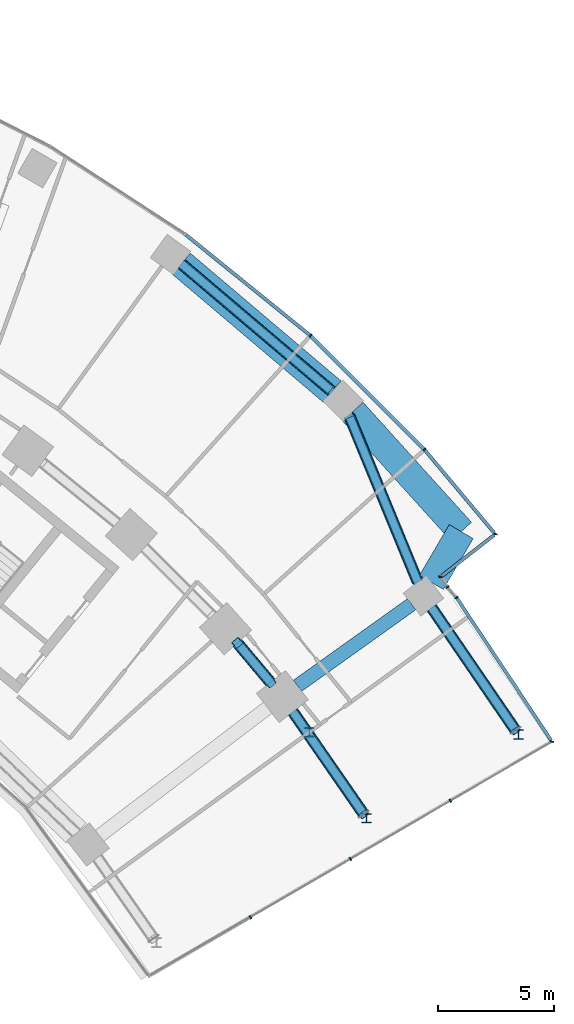
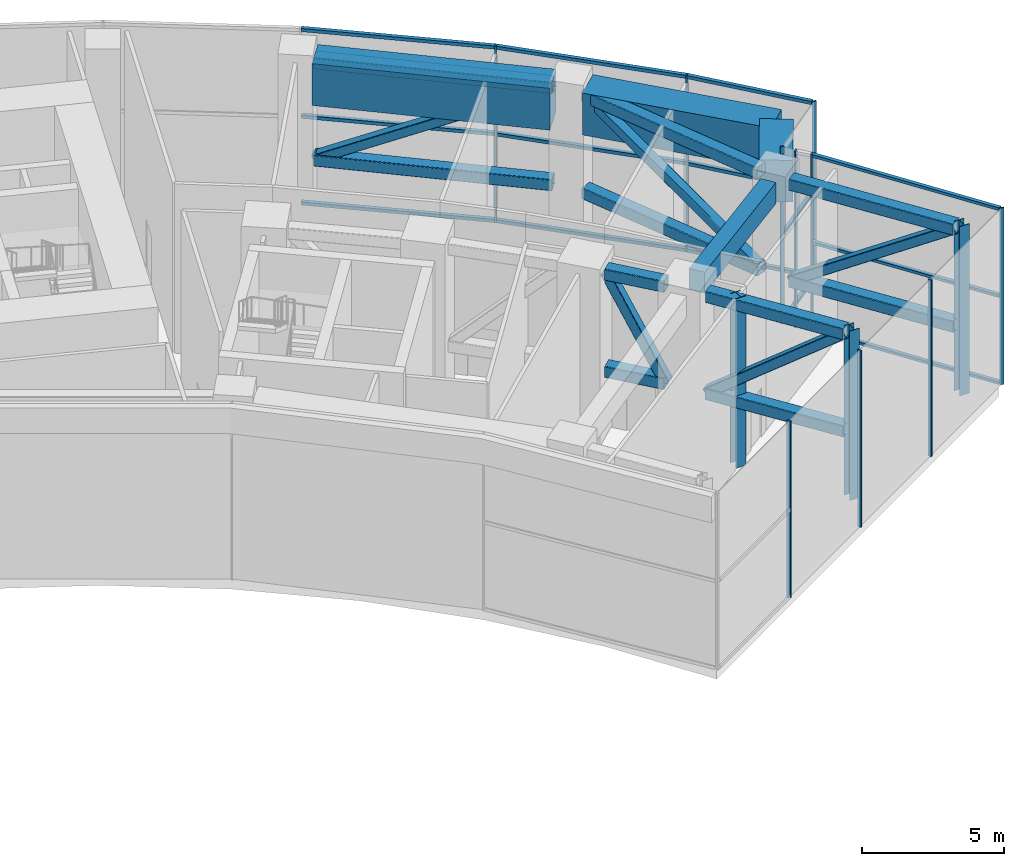
# One storey, part 12 of 33: 42 members, 4 beams, 6 elements without a shape of their own.
"""IFC4 building model written with IfcOpenShell, lengths in metres."""

from ifc_helpers import new_model, si_unit, direction, frame, origin, origin_2d, place, context, subcontext, project, spatial, rectangle, hollow_rectangle, i_section, extrude, material, layer, layer_set, material_profile, profile_set, type_object, element, aggregate, save


model = new_model("IFC4")

# Units and contexts
model_context = context("Model", 3, precision=1e-05, world=origin(), true_north=direction((0.0, 1.0)))
body_context = subcontext(model_context, "Body", "Model", "MODEL_VIEW")
ifc_project = project(units=[si_unit("LENGTHUNIT", "METRE"), si_unit("AREAUNIT", "SQUARE_METRE"), si_unit("VOLUMEUNIT", "CUBIC_METRE"), si_unit("PLANEANGLEUNIT", "RADIAN"), si_unit("MASSUNIT", "GRAM", prefix="KILO")], contexts=[model_context])

# Site, building, storey
site_placement = place(None, origin())
site = spatial("IfcSite", under=ifc_project, at=site_placement, CompositionType="ELEMENT")
building_placement = place(site_placement, origin())
building = spatial("IfcBuilding", under=site, at=building_placement, Name="Stone Belt Terrace Tower", CompositionType="ELEMENT")
storey_placement = place(building_placement, frame((0.0, 0.0, 79.39990234375)))
storey = spatial("IfcBuildingStorey", under=building, at=storey_placement, Name="L19", CompositionType="ELEMENT", Elevation=79.39990234375)

# Curtain wall, members
ifc_material_1 = material(Name="Aluminium 6063-T6 anodised frame", Category="aluminium")
ifc_layer_1 = layer(ifc_material_1, 0.14990234375)
ifc_layer_set_1 = layer_set([ifc_layer_1], Name="CW-A unitised convex-face curtain wall")
curtain_wall_type_1 = type_object("IfcCurtainWallType", Name="CW-A unitised convex-face curtain wall", PredefinedType="NOTDEFINED", material=ifc_layer_set_1)
curtain_wall_1_placement = place(storey_placement, origin())
curtain_wall_1 = element("IfcCurtainWall", 1, at=curtain_wall_1_placement, inside=storey, type_object=curtain_wall_type_1, Name="CW-A convex face L19", PredefinedType="NOTDEFINED")
ifc_material_profile_1 = material_profile(ifc_material_1, rectangle(XDim=0.14990234375, YDim=0.06005859375, at=origin_2d()), Name="Aluminium 6063-T6 60x150")
ifc_profile_set_1 = profile_set([ifc_material_profile_1], Name="Aluminium 6063-T6 anodised frame")
member_type_1 = type_object("IfcMemberType", Name="CW-A mullion 60 x 150", PredefinedType="MULLION", material=ifc_profile_set_1)
member_1_placement = place(storey_placement, frame((52.539794921875, 40.89208984375, 0.0), z_axis=(0.0, 0.0, 1.0), x_axis=(-0.994464768622, 0.105070566623, 0.0)))
member_1 = element("IfcMember", 2, at=member_1_placement, type_object=member_type_1, Name="CW-A mullion 1", PredefinedType="MULLION", context=body_context, shape_type="SweptSolid", body=[
    extrude(rectangle(XDim=0.14990234375, YDim=0.06005859375, at=origin_2d()), origin(), (0.0, 0.0, 1.0), 7.60009765625),
])
member_2_placement = place(storey_placement, frame((49.474609375, 44.5478515625, 0.0), z_axis=(0.0, 0.0, 1.0), x_axis=(-0.737400080522, -0.675456231925, 0.0)))
member_2 = element("IfcMember", 3, at=member_2_placement, type_object=member_type_1, Name="CW-A mullion 2", PredefinedType="MULLION", context=body_context, shape_type="SweptSolid", body=[
    extrude(rectangle(XDim=0.14990234375, YDim=0.06005859375, at=origin_2d()), origin(), (0.0, 0.0, 1.0), 7.60009765625),
])
member_3_placement = place(storey_placement, frame((44.54736328125, 49.474853515625, 0.0), z_axis=(0.0, 0.0, 1.0), x_axis=(-0.669130606359, -0.743144825477, 0.0)))
member_3 = element("IfcMember", 4, at=member_3_placement, type_object=member_type_1, Name="CW-A mullion 3", PredefinedType="MULLION", context=body_context, shape_type="SweptSolid", body=[
    extrude(rectangle(XDim=0.14990234375, YDim=0.06005859375, at=origin_2d()), origin(), (0.0, 0.0, 1.0), 7.60009765625),
])
ifc_material_profile_2 = material_profile(ifc_material_1, rectangle(XDim=0.14990234375, YDim=0.139892578125, at=origin_2d()), Name="Aluminium 6063-T6 150x140")
ifc_profile_set_2 = profile_set([ifc_material_profile_2], Name="Aluminium 6063-T6 anodised frame")
member_type_2 = type_object("IfcMemberType", Name="CW-A transom 140 x 150", PredefinedType="USERDEFINED", material=ifc_profile_set_2)
member_4_placement = place(storey_placement, frame((52.49169921875, 40.949462890625, 0.070068359375), z_axis=(-0.642504178028, 0.766282181195, 0.0), x_axis=(-0.766282181195, -0.642504178028, 0.0)))
member_4 = element("IfcMember", 5, at=member_4_placement, type_object=member_type_2, Name="CW-A transom 1.1", ObjectType="TRANSOM", PredefinedType="USERDEFINED", context=body_context, shape_type="SweptSolid", body=[
    extrude(rectangle(XDim=0.14990234375, YDim=0.139892578125, at=origin_2d()), origin(), (0.0, 0.0, 1.0), 4.662841796875),
])
member_5_placement = place(storey_placement, frame((52.49169921875, 40.949462890625, 3.800048828125), z_axis=(-0.642504178028, 0.766282181195, 0.0), x_axis=(-0.766282181195, -0.642504178028, 0.0)))
member_5 = element("IfcMember", 6, at=member_5_placement, type_object=member_type_2, Name="CW-A transom 1.2", ObjectType="TRANSOM", PredefinedType="USERDEFINED", context=body_context, shape_type="SweptSolid", body=[
    extrude(rectangle(XDim=0.14990234375, YDim=0.139892578125, at=origin_2d()), origin(), (0.0, 0.0, 1.0), 4.662841796875),
])
member_6_placement = place(storey_placement, frame((52.49169921875, 40.949462890625, 7.530029296875), z_axis=(-0.642504178028, 0.766282181195, 0.0), x_axis=(-0.766282181195, -0.642504178028, 0.0)))
member_6 = element("IfcMember", 7, at=member_6_placement, type_object=member_type_2, Name="CW-A transom 1.3", ObjectType="TRANSOM", PredefinedType="USERDEFINED", context=body_context, shape_type="SweptSolid", body=[
    extrude(rectangle(XDim=0.14990234375, YDim=0.139892578125, at=origin_2d()), origin(), (0.0, 0.0, 1.0), 4.662841796875),
])
member_7_placement = place(storey_placement, frame((49.450927734375, 44.5712890625, 0.070068359375), z_axis=(-0.707106781187, 0.707106781187, 0.0), x_axis=(-0.707106781187, -0.707106781187, 0.0)))
member_7 = element("IfcMember", 8, at=member_7_placement, type_object=member_type_2, Name="CW-A transom 2.1", ObjectType="TRANSOM", PredefinedType="USERDEFINED", context=body_context, shape_type="SweptSolid", body=[
    extrude(rectangle(XDim=0.14990234375, YDim=0.139892578125, at=origin_2d()), origin(), (0.0, 0.0, 1.0), 6.90087890625),
])
member_8_placement = place(storey_placement, frame((49.450927734375, 44.5712890625, 3.800048828125), z_axis=(-0.707106781187, 0.707106781187, 0.0), x_axis=(-0.707106781187, -0.707106781187, 0.0)))
member_8 = element("IfcMember", 9, at=member_8_placement, type_object=member_type_2, Name="CW-A transom 2.2", ObjectType="TRANSOM", PredefinedType="USERDEFINED", context=body_context, shape_type="SweptSolid", body=[
    extrude(rectangle(XDim=0.14990234375, YDim=0.139892578125, at=origin_2d()), origin(), (0.0, 0.0, 1.0), 6.90087890625),
])
member_9_placement = place(storey_placement, frame((49.450927734375, 44.5712890625, 7.530029296875), z_axis=(-0.707106781187, 0.707106781187, 0.0), x_axis=(-0.707106781187, -0.707106781187, 0.0)))
member_9 = element("IfcMember", 10, at=member_9_placement, type_object=member_type_2, Name="CW-A transom 2.3", ObjectType="TRANSOM", PredefinedType="USERDEFINED", context=body_context, shape_type="SweptSolid", body=[
    extrude(rectangle(XDim=0.14990234375, YDim=0.139892578125, at=origin_2d()), origin(), (0.0, 0.0, 1.0), 6.90087890625),
])
member_10_placement = place(storey_placement, frame((44.52099609375, 49.496337890625, 0.070068359375), z_axis=(-0.777141048626, 0.629326457842, 0.0), x_axis=(-0.629326457842, -0.777141048626, 0.0)))
member_10 = element("IfcMember", 11, at=member_10_placement, type_object=member_type_2, Name="CW-A transom 3.1", ObjectType="TRANSOM", PredefinedType="USERDEFINED", context=body_context, shape_type="SweptSolid", body=[
    extrude(rectangle(XDim=0.14990234375, YDim=0.139892578125, at=origin_2d()), origin(), (0.0, 0.0, 1.0), 6.900634765625),
])
member_11_placement = place(storey_placement, frame((44.52099609375, 49.496337890625, 3.800048828125), z_axis=(-0.777141048626, 0.629326457842, 0.0), x_axis=(-0.629326457842, -0.777141048626, 0.0)))
member_11 = element("IfcMember", 12, at=member_11_placement, type_object=member_type_2, Name="CW-A transom 3.2", ObjectType="TRANSOM", PredefinedType="USERDEFINED", context=body_context, shape_type="SweptSolid", body=[
    extrude(rectangle(XDim=0.14990234375, YDim=0.139892578125, at=origin_2d()), origin(), (0.0, 0.0, 1.0), 6.900634765625),
])
member_12_placement = place(storey_placement, frame((44.52099609375, 49.496337890625, 7.530029296875), z_axis=(-0.777141048626, 0.629326457842, 0.0), x_axis=(-0.629326457842, -0.777141048626, 0.0)))
member_12 = element("IfcMember", 13, at=member_12_placement, type_object=member_type_2, Name="CW-A transom 3.3", ObjectType="TRANSOM", PredefinedType="USERDEFINED", context=body_context, shape_type="SweptSolid", body=[
    extrude(rectangle(XDim=0.14990234375, YDim=0.139892578125, at=origin_2d()), origin(), (0.0, 0.0, 1.0), 6.900634765625),
])
aggregate(curtain_wall_1, [member_1, member_2, member_3, member_4, member_5, member_6, member_7, member_8, member_9, member_10, member_11, member_12])

ifc_layer_2 = layer(ifc_material_1, 0.14990234375)
ifc_layer_set_2 = layer_set([ifc_layer_2], Name="CW-C stick curtain wall, horn ends and notches")
curtain_wall_type_2 = type_object("IfcCurtainWallType", Name="CW-C stick curtain wall, horn ends and notches", PredefinedType="NOTDEFINED", material=ifc_layer_set_2)
curtain_wall_2_placement = place(storey_placement, origin())
curtain_wall_2 = element("IfcCurtainWall", 14, at=curtain_wall_2_placement, inside=storey, type_object=curtain_wall_type_2, Name="CW-C end face L19", PredefinedType="NOTDEFINED")
ifc_material_profile_3 = material_profile(ifc_material_1, rectangle(XDim=0.14990234375, YDim=0.06005859375, at=origin_2d()), Name="Aluminium 6063-T6 60x150")
ifc_profile_set_3 = profile_set([ifc_material_profile_3], Name="Aluminium 6063-T6 anodised frame")
member_type_3 = type_object("IfcMemberType", Name="CW-C mullion 60 x 150", PredefinedType="MULLION", material=ifc_profile_set_3)
member_13_placement = place(storey_placement, frame((41.953369140625, 24.334716796875, 0.0), z_axis=(0.0, 0.0, 1.0), x_axis=(-0.503080901861, 0.864239322284, 0.0)))
member_13 = element("IfcMember", 15, at=member_13_placement, type_object=member_type_3, Name="CW-C mullion 2", PredefinedType="MULLION", context=body_context, shape_type="SweptSolid", body=[
    extrude(rectangle(XDim=0.14990234375, YDim=0.06005859375, at=origin_2d()), origin(), (0.0, 0.0, 1.0), 7.60009765625),
])
member_14_placement = place(storey_placement, frame((46.2744140625, 26.85009765625, 0.0), z_axis=(0.0, 0.0, 1.0), x_axis=(-0.503080901861, 0.864239322284, 0.0)))
member_14 = element("IfcMember", 16, at=member_14_placement, type_object=member_type_3, Name="CW-C mullion 3", PredefinedType="MULLION", context=body_context, shape_type="SweptSolid", body=[
    extrude(rectangle(XDim=0.14990234375, YDim=0.06005859375, at=origin_2d()), origin(), (0.0, 0.0, 1.0), 7.60009765625),
])
member_15_placement = place(storey_placement, frame((50.595703125, 29.365478515625, 0.0), z_axis=(0.0, 0.0, 1.0), x_axis=(-0.503080901861, 0.864239322284, 0.0)))
member_15 = element("IfcMember", 17, at=member_15_placement, type_object=member_type_3, Name="CW-C mullion 4", PredefinedType="MULLION", context=body_context, shape_type="SweptSolid", body=[
    extrude(rectangle(XDim=0.14990234375, YDim=0.06005859375, at=origin_2d()), origin(), (0.0, 0.0, 1.0), 7.60009765625),
])
aggregate(curtain_wall_2, [member_13, member_14, member_15])

# Curtain wall, member
curtain_wall_3_placement = place(storey_placement, origin())
curtain_wall_3 = element("IfcCurtainWall", 18, at=curtain_wall_3_placement, inside=storey, type_object=curtain_wall_type_2, Name="CW-C notch face L19", PredefinedType="NOTDEFINED")
member_16_placement = place(storey_placement, frame((54.985595703125, 31.9208984375, 0.0), z_axis=(0.0, 0.0, 1.0), x_axis=(-0.97386043945, 0.227147186805, 0.0)))
member_16 = element("IfcMember", 19, at=member_16_placement, type_object=member_type_3, Name="CW-C mullion 1", PredefinedType="MULLION", context=body_context, shape_type="SweptSolid", body=[
    extrude(rectangle(XDim=0.14990234375, YDim=0.06005859375, at=origin_2d()), origin(), (0.0, 0.0, 1.0), 7.60009765625),
])

curtain_wall_4_placement = place(storey_placement, origin())
curtain_wall_4 = element("IfcCurtainWall", 20, at=curtain_wall_4_placement, inside=storey, type_object=curtain_wall_type_2, Name="CW-C end face L19", PredefinedType="NOTDEFINED")
member_17_placement = place(storey_placement, frame((50.859130859375, 38.146484375, 0.0), z_axis=(0.0, 0.0, 1.0), x_axis=(-0.797131223435, -0.603806105157, 0.0)))
member_17 = element("IfcMember", 21, at=member_17_placement, type_object=member_type_3, Name="CW-C mullion 1", PredefinedType="MULLION", context=body_context, shape_type="SweptSolid", body=[
    extrude(rectangle(XDim=0.14990234375, YDim=0.06005859375, at=origin_2d()), origin(), (0.0, 0.0, 1.0), 7.60009765625),
])
aggregate(curtain_wall_4, [member_17])

curtain_wall_5_placement = place(storey_placement, origin())
curtain_wall_5 = element("IfcCurtainWall", 22, at=curtain_wall_5_placement, inside=storey, type_object=curtain_wall_type_2, Name="CW-C end face L19", PredefinedType="NOTDEFINED")
member_18_placement = place(storey_placement, frame((50.46484375, 38.60400390625, 0.0), z_axis=(0.0, 0.0, 1.0), x_axis=(-0.794258004121, -0.607580630773, 0.0)))
member_18 = element("IfcMember", 23, at=member_18_placement, type_object=member_type_3, Name="CW-C mullion 1", PredefinedType="MULLION", context=body_context, shape_type="SweptSolid", body=[
    extrude(rectangle(XDim=0.14990234375, YDim=0.06005859375, at=origin_2d()), origin(), (0.0, 0.0, 1.0), 7.60009765625),
])
aggregate(curtain_wall_5, [member_18])

curtain_wall_6_placement = place(storey_placement, origin())
curtain_wall_6 = element("IfcCurtainWall", 24, at=curtain_wall_6_placement, inside=storey, type_object=curtain_wall_type_2, Name="CW-C notch face L19", PredefinedType="NOTDEFINED")
member_19_placement = place(storey_placement, frame((50.16845703125, 39.0419921875, 0.0), z_axis=(0.0, 0.0, 1.0), x_axis=(-0.987742281651, 0.156093513764, 0.0)))
member_19 = element("IfcMember", 25, at=member_19_placement, type_object=member_type_3, Name="CW-C mullion 1", PredefinedType="MULLION", context=body_context, shape_type="SweptSolid", body=[
    extrude(rectangle(XDim=0.14990234375, YDim=0.06005859375, at=origin_2d()), origin(), (0.0, 0.0, 1.0), 7.60009765625),
])

# Member
ifc_material_profile_4 = material_profile(ifc_material_1, rectangle(XDim=0.14990234375, YDim=0.1201171875, at=origin_2d()), Name="Aluminium 6063-T6 150x120")
ifc_profile_set_4 = profile_set([ifc_material_profile_4], Name="Aluminium 6063-T6 anodised frame")
member_type_4 = type_object("IfcMemberType", Name="CW-C transom 120 x 150", PredefinedType="USERDEFINED", material=ifc_profile_set_4)
member_20_placement = place(storey_placement, frame((54.944091796875, 31.9833984375, 0.06005859375), z_axis=(-0.552478122217, 0.833527398753, 0.0), x_axis=(-0.833527398753, -0.552478122217, 0.0)))
member_20 = element("IfcMember", 26, at=member_20_placement, type_object=member_type_4, Name="CW-C transom 1.1", ObjectType="TRANSOM", PredefinedType="USERDEFINED", context=body_context, shape_type="SweptSolid", body=[
    extrude(rectangle(XDim=0.14990234375, YDim=0.1201171875, at=origin_2d()), origin(), (0.0, 0.0, 1.0), 7.359375),
])

member_21_placement = place(storey_placement, frame((54.944091796875, 31.9833984375, 3.800048828125), z_axis=(-0.552478122217, 0.833527398753, 0.0), x_axis=(-0.833527398753, -0.552478122217, 0.0)))
member_21 = element("IfcMember", 27, at=member_21_placement, type_object=member_type_4, Name="CW-C transom 1.2", ObjectType="TRANSOM", PredefinedType="USERDEFINED", context=body_context, shape_type="SweptSolid", body=[
    extrude(rectangle(XDim=0.14990234375, YDim=0.1201171875, at=origin_2d()), origin(), (0.0, 0.0, 1.0), 7.359375),
])

member_22_placement = place(storey_placement, frame((54.944091796875, 31.9833984375, 7.5400390625), z_axis=(-0.552478122217, 0.833527398753, 0.0), x_axis=(-0.833527398753, -0.552478122217, 0.0)))
member_22 = element("IfcMember", 28, at=member_22_placement, type_object=member_type_4, Name="CW-C transom 1.3", ObjectType="TRANSOM", PredefinedType="USERDEFINED", context=body_context, shape_type="SweptSolid", body=[
    extrude(rectangle(XDim=0.14990234375, YDim=0.1201171875, at=origin_2d()), origin(), (0.0, 0.0, 1.0), 7.359375),
])

aggregate(curtain_wall_3, [member_16, member_20, member_21, member_22])

member_23_placement = place(storey_placement, frame((50.22607421875, 39.087158203125, 0.06005859375), z_axis=(0.788505618167, 0.615027552325, 0.0), x_axis=(-0.615027552325, 0.788505618167, 0.0)))
member_23 = element("IfcMember", 29, at=member_23_placement, type_object=member_type_4, Name="CW-C transom 1.1", ObjectType="TRANSOM", PredefinedType="USERDEFINED", context=body_context, shape_type="SweptSolid", body=[
    extrude(rectangle(XDim=0.14990234375, YDim=0.1201171875, at=origin_2d()), origin(), (0.0, 0.0, 1.0), 2.859619140625),
])

member_24_placement = place(storey_placement, frame((50.22607421875, 39.087158203125, 3.800048828125), z_axis=(0.788505618167, 0.615027552325, 0.0), x_axis=(-0.615027552325, 0.788505618167, 0.0)))
member_24 = element("IfcMember", 30, at=member_24_placement, type_object=member_type_4, Name="CW-C transom 1.2", ObjectType="TRANSOM", PredefinedType="USERDEFINED", context=body_context, shape_type="SweptSolid", body=[
    extrude(rectangle(XDim=0.14990234375, YDim=0.1201171875, at=origin_2d()), origin(), (0.0, 0.0, 1.0), 2.859619140625),
])

aggregate(curtain_wall_6, [member_19, member_23, member_24])

# Beam
ifc_material_2 = material(Name="Concrete B60", Category="concrete")
ifc_material_profile_5 = material_profile(ifc_material_2, rectangle(XDim=0.60009765625, YDim=0.89990234375, at=origin_2d()), Name="RC 600x900")
ifc_profile_set_5 = profile_set([ifc_material_profile_5], Name="Concrete B60")
beam_type_1 = type_object("IfcBeamType", Name="Edge beam RC 600x900 B60", PredefinedType="SPANDREL", material=ifc_profile_set_5)
beam_1_placement = place(storey_placement, frame((43.985107421875, 34.335693359375, 6.830078125), z_axis=(0.813776958912, 0.581177306115, 0.0), x_axis=(-0.581177306115, 0.813776958912, 0.0)))
element("IfcBeam", 31, at=beam_1_placement, inside=storey, type_object=beam_type_1, Name="Edge beam L19 B Q to R", PredefinedType="SPANDREL", context=body_context, shape_type="SweptSolid", body=[
    extrude(rectangle(XDim=0.60009765625, YDim=0.89990234375, at=origin_2d()), origin(), (0.0, 0.0, 1.0), 6.06884765625),
])

# Members
ifc_material_3 = material(Name="Structural steel C345", Category="steel")
ifc_material_profile_6 = material_profile(ifc_material_3, hollow_rectangle(XDim=0.5, YDim=0.5, WallThickness=0.02001953125, InnerFilletRadius=0.0400390625, OuterFilletRadius=0.06005859375, at=origin_2d()), Name="SHS 500x500x20")
ifc_profile_set_6 = profile_set([ifc_material_profile_6], Name="Structural steel C345")
member_type_5 = type_object("IfcMemberType", Name="Outrigger chord SHS 500x500x20", PredefinedType="CHORD", material=ifc_profile_set_6)
for number, where, z_axis, x_axis, name in (
    (32, (46.846923828125, 28.79248046875, 7.030029296875), (-0.568971334923, 0.822357355434, 0.0), (-0.822357355434, -0.568971334923, 0.0), "Outrigger T1 Qe top chord 1"),
    (33, (46.846923828125, 28.79248046875, 2.85009765625), (-0.568971334923, 0.822357355434, 0.0), (-0.822357355434, -0.568971334923, 0.0), "Outrigger T1 Qe bot chord 1"),
):
    element("IfcMember", number, at=place(storey_placement, frame(where, z_axis=z_axis, x_axis=x_axis)), inside=storey, type_object=member_type_5, Name=name, PredefinedType="CHORD", context=body_context, shape_type="SweptSolid", body=[
        extrude(hollow_rectangle(XDim=0.5, YDim=0.5, WallThickness=0.02001953125, InnerFilletRadius=0.0400390625, OuterFilletRadius=0.06005859375, at=origin_2d()), origin(), (0.0, 0.0, 1.0), 5.37353515625),
    ])
for number, where, z_axis, x_axis, name in (
    (34, (42.819091796875, 34.4833984375, 7.030029296875), (-0.642855165811, 0.765987751723, 0.0), (-0.765987751723, -0.642855165811, 0.0), "Outrigger T1 Qe top chord 2"),
    (35, (42.819091796875, 34.4833984375, 2.85009765625), (-0.642855165811, 0.765987751723, 0.0), (-0.765987751723, -0.642855165811, 0.0), "Outrigger T1 Qe bot chord 2"),
):
    element("IfcMember", number, at=place(storey_placement, frame(where, z_axis=z_axis, x_axis=x_axis)), inside=storey, type_object=member_type_5, Name=name, PredefinedType="CHORD", context=body_context, shape_type="SweptSolid", body=[
        extrude(hollow_rectangle(XDim=0.5, YDim=0.5, WallThickness=0.02001953125, InnerFilletRadius=0.0400390625, OuterFilletRadius=0.06005859375, at=origin_2d()), origin(), (0.0, 0.0, 1.0), 2.2265625),
    ])
for number, where, z_axis, x_axis, name in (
    (36, (53.41162109375, 32.411376953125, 7.030029296875), (-0.564690732069, 0.825302597303, 0.0), (-0.825302597303, -0.564690732069, 0.0), "Outrigger T1 Re top chord 1"),
    (37, (53.41162109375, 32.411376953125, 2.85009765625), (-0.564690732069, 0.825302597303, 0.0), (-0.825302597303, -0.564690732069, 0.0), "Outrigger T1 Re bot chord 1"),
):
    element("IfcMember", number, at=place(storey_placement, frame(where, z_axis=z_axis, x_axis=x_axis)), inside=storey, type_object=member_type_5, Name=name, PredefinedType="CHORD", context=body_context, shape_type="SweptSolid", body=[
        extrude(hollow_rectangle(XDim=0.5, YDim=0.5, WallThickness=0.02001953125, InnerFilletRadius=0.0400390625, OuterFilletRadius=0.06005859375, at=origin_2d()), origin(), (0.0, 0.0, 1.0), 6.419921875),
    ])
for number, where, z_axis, x_axis, name in (
    (38, (49.185791015625, 38.825439453125, 7.030029296875), (-0.381124987656, 0.924523522569, 0.0), (-0.924523522569, -0.381124987656, 0.0), "Outrigger T1 Re top chord 2"),
    (39, (49.185791015625, 38.825439453125, 2.85009765625), (-0.381124987656, 0.924523522569, 0.0), (-0.924523522569, -0.381124987656, 0.0), "Outrigger T1 Re bot chord 2"),
):
    element("IfcMember", number, at=place(storey_placement, frame(where, z_axis=z_axis, x_axis=x_axis)), inside=storey, type_object=member_type_5, Name=name, PredefinedType="CHORD", context=body_context, shape_type="SweptSolid", body=[
        extrude(hollow_rectangle(XDim=0.5, YDim=0.5, WallThickness=0.02001953125, InnerFilletRadius=0.0400390625, OuterFilletRadius=0.06005859375, at=origin_2d()), origin(), (0.0, 0.0, 1.0), 7.788818359375),
    ])
for number, where, z_axis, x_axis, name in (
    (40, (45.480224609375, 47.059326171875, 7.030029296875), (-0.762828141775, 0.646601288366, 0.0), (-0.646601288366, -0.762828141775, 0.0), "Outrigger T1 Re top chord 3"),
    (41, (45.480224609375, 47.059326171875, 2.85009765625), (-0.762828141775, 0.646601288366, 0.0), (-0.646601288366, -0.762828141775, 0.0), "Outrigger T1 Re bot chord 3"),
):
    element("IfcMember", number, at=place(storey_placement, frame(where, z_axis=z_axis, x_axis=x_axis)), inside=storey, type_object=member_type_5, Name=name, PredefinedType="CHORD", context=body_context, shape_type="SweptSolid", body=[
        extrude(hollow_rectangle(XDim=0.5, YDim=0.5, WallThickness=0.02001953125, InnerFilletRadius=0.0400390625, OuterFilletRadius=0.06005859375, at=origin_2d()), origin(), (0.0, 0.0, 1.0), 8.532470703125),
    ])
ifc_material_profile_7 = material_profile(ifc_material_3, hollow_rectangle(XDim=0.39990234375, YDim=0.39990234375, WallThickness=0.01611328125, InnerFilletRadius=0.031982421875, OuterFilletRadius=0.048095703125, at=origin_2d()), Name="SHS 400x400x16")
ifc_profile_set_7 = profile_set([ifc_material_profile_7], Name="Structural steel C345")
member_type_6 = type_object("IfcMemberType", Name="Outrigger diagonal SHS 400x400x16", PredefinedType="BRACE", material=ifc_profile_set_7)
member_25_placement = place(storey_placement, frame((46.8583984375, 28.77587890625, 7.030029296875), z_axis=(-0.4497295725, 0.650014866602, -0.612555291231), x_axis=(-0.822358366407, -0.56896987372, 0.0)))
element("IfcMember", 42, at=member_25_placement, inside=storey, type_object=member_type_6, Name="Outrigger T1 Qe diagonal 1", PredefinedType="BRACE", context=body_context, shape_type="SweptSolid", body=[
    extrude(hollow_rectangle(XDim=0.39990234375, YDim=0.39990234375, WallThickness=0.01611328125, InnerFilletRadius=0.031982421875, OuterFilletRadius=0.048095703125, at=origin_2d()), origin(), (0.0, 0.0, 1.0), 6.82373046875),
])
member_26_placement = place(storey_placement, frame((42.819091796875, 34.4833984375, 2.85009765625), z_axis=(-0.302237533192, 0.360128160819, 0.882587208901), x_axis=(-0.765987751723, -0.642855165811, 0.0)))
element("IfcMember", 43, at=member_26_placement, inside=storey, type_object=member_type_6, Name="Outrigger T1 Qe diagonal 2", PredefinedType="BRACE", context=body_context, shape_type="SweptSolid", body=[
    extrude(hollow_rectangle(XDim=0.39990234375, YDim=0.39990234375, WallThickness=0.01611328125, InnerFilletRadius=0.031982421875, OuterFilletRadius=0.048095703125, at=origin_2d()), origin(), (0.0, 0.0, 1.0), 4.736083984375),
])
member_27_placement = place(storey_placement, frame((53.4228515625, 32.39501953125, 7.030029296875), z_axis=(-0.473662414533, 0.692256267335, -0.544449425929), x_axis=(-0.825299821901, -0.564694788333, 0.0)))
element("IfcMember", 44, at=member_27_placement, inside=storey, type_object=member_type_6, Name="Outrigger T1 Re diagonal 1", PredefinedType="BRACE", context=body_context, shape_type="SweptSolid", body=[
    extrude(hollow_rectangle(XDim=0.39990234375, YDim=0.39990234375, WallThickness=0.01611328125, InnerFilletRadius=0.031982421875, OuterFilletRadius=0.048095703125, at=origin_2d()), origin(), (0.0, 0.0, 1.0), 7.67724609375),
])
member_28_placement = place(storey_placement, frame((49.185791015625, 38.825439453125, 2.85009765625), z_axis=(-0.335821845818, 0.814628287063, 0.472868313369), x_axis=(-0.924523522569, -0.381124987656, 0.0)))
element("IfcMember", 45, at=member_28_placement, inside=storey, type_object=member_type_6, Name="Outrigger T1 Re diagonal 2", PredefinedType="BRACE", context=body_context, shape_type="SweptSolid", body=[
    extrude(hollow_rectangle(XDim=0.39990234375, YDim=0.39990234375, WallThickness=0.01611328125, InnerFilletRadius=0.031982421875, OuterFilletRadius=0.048095703125, at=origin_2d()), origin(), (0.0, 0.0, 1.0), 8.839599609375),
])
member_29_placement = place(storey_placement, frame((45.480224609375, 47.059326171875, 7.030029296875), z_axis=(-0.685042926225, 0.580667668674, -0.439933231054), x_axis=(-0.646601288366, -0.762828141775, 0.0)))
element("IfcMember", 46, at=member_29_placement, inside=storey, type_object=member_type_6, Name="Outrigger T1 Re diagonal 3", PredefinedType="BRACE", context=body_context, shape_type="SweptSolid", body=[
    extrude(hollow_rectangle(XDim=0.39990234375, YDim=0.39990234375, WallThickness=0.01611328125, InnerFilletRadius=0.031982421875, OuterFilletRadius=0.048095703125, at=origin_2d()), origin(), (0.0, 0.0, 1.0), 9.501220703125),
])
ifc_material_profile_8 = material_profile(ifc_material_3, i_section(OverallWidth=0.403076171875, OverallDepth=0.406005859375, WebThickness=0.01611328125, FlangeThickness=0.02392578125, at=origin_2d()), Name="I 40K3")
ifc_profile_set_8 = profile_set([ifc_material_profile_8], Name="Structural steel C345")
member_type_7 = type_object("IfcMemberType", Name="Outrigger post I 40K3", PredefinedType="POST", material=ifc_profile_set_8)
for number, where, z_axis, x_axis, name in (
    (47, (46.972900390625, 28.610107421875, 0.0), (0.0, 0.0, 1.0), (1.0, 0.0, 0.0), "Outrigger T1 Qe tip post"),
    (48, (44.495849609375, 32.328125, 0.0), (0.0, 0.0, 1.0), (1.0, 0.0, 0.0), "Outrigger T1 Qe post under column Q31"),
    (49, (53.53662109375, 32.228515625, 0.0), (0.0, 0.0, 1.0), (1.0, 0.0, 0.0), "Outrigger T1 Re tip post"),
):
    element("IfcMember", number, at=place(storey_placement, frame(where, z_axis=z_axis, x_axis=x_axis)), inside=storey, type_object=member_type_7, Name=name, PredefinedType="POST", context=body_context, shape_type="SweptSolid", body=[
        extrude(i_section(OverallWidth=0.403076171875, OverallDepth=0.406005859375, WebThickness=0.01611328125, FlangeThickness=0.02392578125, at=origin_2d()), origin(), (0.0, 0.0, 1.0), 7.280029296875),
    ])

# Beams
ifc_material_4 = material(Name="Concrete B80", Category="concrete")
ifc_material_profile_9 = material_profile(ifc_material_4, rectangle(XDim=1.199951171875, YDim=1.800048828125, at=origin_2d()), Name="RC 1200x1800")
ifc_profile_set_9 = profile_set([ifc_material_profile_9], Name="Concrete B80")
beam_type_2 = type_object("IfcBeamType", Name="Transfer girder RC 1200x1800 B80", PredefinedType="BEAM", material=ifc_profile_set_9)
beam_2_placement = place(storey_placement, frame((38.971435546875, 52.576416015625, 6.380126953125), z_axis=(0.762828141775, -0.646601288366, 0.0), x_axis=(0.646601288366, 0.762828141775, 0.0)))
element("IfcBeam", 50, at=beam_2_placement, inside=storey, type_object=beam_type_2, Name="Transfer beam L19 RR28-RNB", PredefinedType="BEAM", context=body_context, shape_type="SweptSolid", body=[
    extrude(rectangle(XDim=1.199951171875, YDim=1.800048828125, at=origin_2d()), origin(), (0.0, 0.0, 1.0), 8.532470703125),
])
beam_3_placement = place(storey_placement, frame((46.378173828125, 46.189697265625, 6.380126953125), z_axis=(0.67036443184, -0.742032026616, 0.0), x_axis=(0.742032026616, 0.67036443184, 0.0)))
element("IfcBeam", 51, at=beam_3_placement, inside=storey, type_object=beam_type_2, Name="Transfer beam L19 RRNB-RNB", PredefinedType="BEAM", context=body_context, shape_type="SweptSolid", body=[
    extrude(rectangle(XDim=1.199951171875, YDim=1.800048828125, at=origin_2d()), origin(), (0.0, 0.0, 1.0), 6.990234375),
])
beam_4_placement = place(storey_placement, frame((51.064208984375, 41.002685546875, 6.380126953125), z_axis=(-0.506622091774, -0.862168229597, 0.0), x_axis=(0.862168229597, -0.506622091774, 0.0)))
element("IfcBeam", 52, at=beam_4_placement, inside=storey, type_object=beam_type_2, Name="Transfer beam L19 RRNB-RB", PredefinedType="BEAM", context=body_context, shape_type="SweptSolid", body=[
    extrude(rectangle(XDim=1.199951171875, YDim=1.800048828125, at=origin_2d()), origin(), (0.0, 0.0, 1.0), 2.546875),
])

save(model, "model.ifc")
